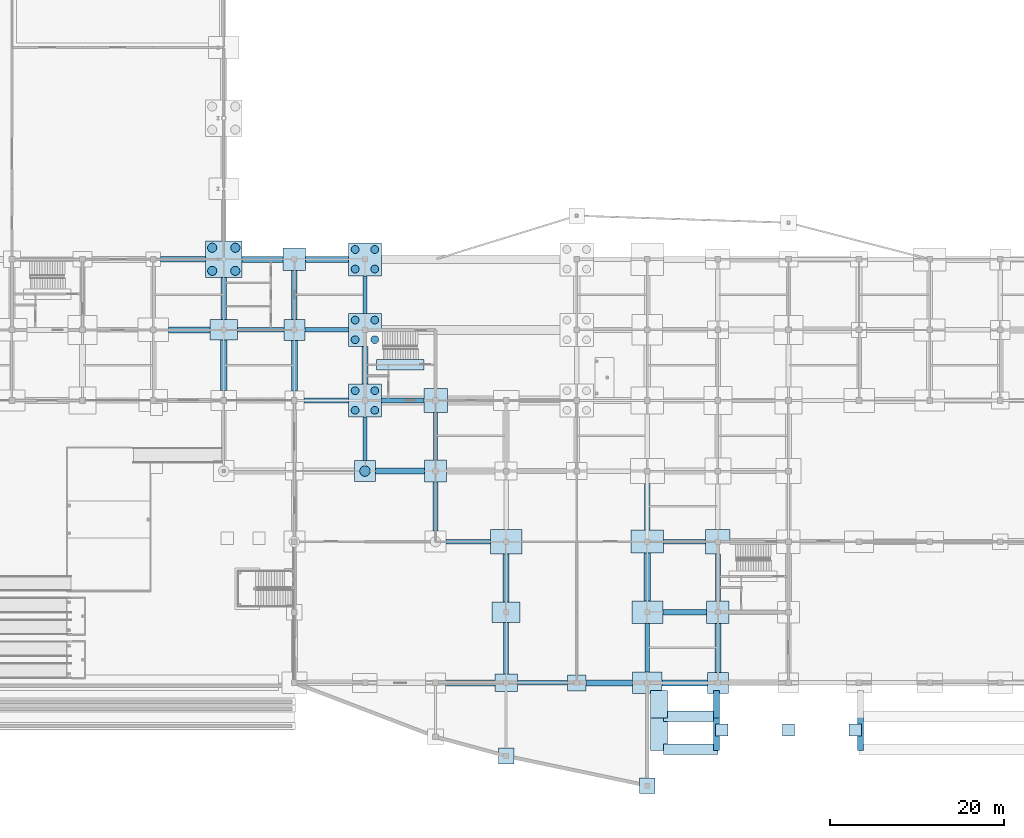
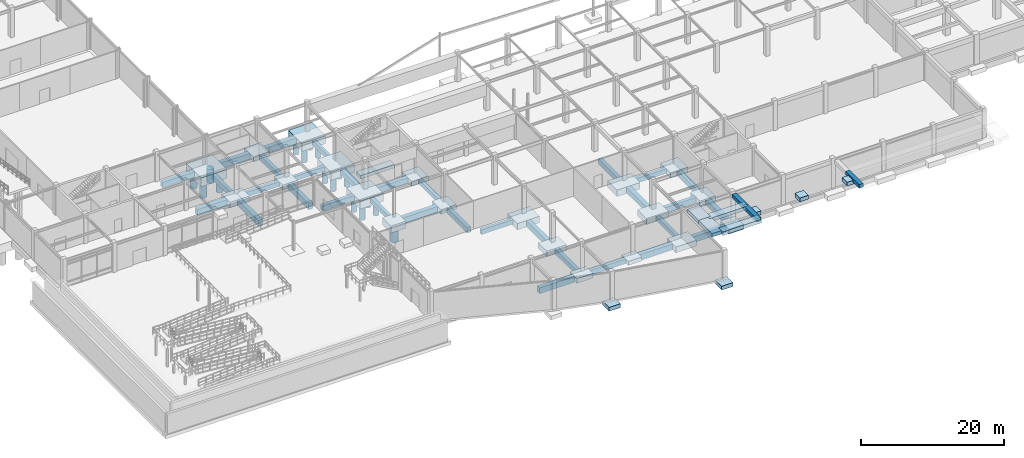
# One storey, part 2 of 67: 65 footings, 17 piles.
"""IFC4 building model written with IfcOpenShell, lengths in metres."""

from ifc_helpers import new_model, si_unit, direction, frame, origin, origin_2d, place, context, subcontext, project, spatial, rectangle, circle, extrude, material, material_profile, profile_set, type_object, element, save


model = new_model("IFC4")

# Units and contexts
model_context = context("Model", 3, precision=1e-05, world=origin(), true_north=direction((0.0, 1.0)))
body_context = subcontext(model_context, "Body", "Model", "MODEL_VIEW")
ifc_project = project(units=[si_unit("LENGTHUNIT", "METRE"), si_unit("AREAUNIT", "SQUARE_METRE"), si_unit("VOLUMEUNIT", "CUBIC_METRE"), si_unit("PLANEANGLEUNIT", "RADIAN"), si_unit("MASSUNIT", "GRAM", prefix="KILO")], contexts=[model_context])

# Site, building, storey
site_placement = place(None, origin())
site = spatial("IfcSite", under=ifc_project, at=site_placement, CompositionType="ELEMENT")
building_placement = place(site_placement, origin())
building = spatial("IfcBuilding", under=site, at=building_placement, Name="Vaudrelin Polytechnic", CompositionType="ELEMENT")
storey_placement = place(building_placement, frame((0.0, 0.0, -5.10009765625)))
storey = spatial("IfcBuildingStorey", under=building, at=storey_placement, Name="B1", CompositionType="ELEMENT", Elevation=-5.10009765625)

# Footings
ifc_material = material(Name="Concrete 40 MPa", Category="concrete")
footing_type_1 = type_object("IfcFootingType", Name="FTG-GB-01", PredefinedType="FOOTING_BEAM", material=ifc_material)
footing_1_placement = place(storey_placement, frame((36.637451171875, 40.5, -1.25), z_axis=(0.0, 0.0, 1.0), x_axis=(1.0, 0.0, 0.0)))
element("IfcFooting", 1, at=footing_1_placement, inside=storey, type_object=footing_type_1, Name="Ground tie beam GB-0066", PredefinedType="FOOTING_BEAM", context=body_context, shape_type="SweptSolid", body=[
    extrude(rectangle(XDim=5.324951171875, YDim=0.5, at=origin_2d()), origin(), (0.0, 0.0, 1.0), 0.800048828125),
])
footing_2_placement = place(storey_placement, frame((44.199951171875, 40.5, -1.25), z_axis=(0.0, 0.0, 1.0), x_axis=(1.0, 0.0, 0.0)))
element("IfcFooting", 2, at=footing_2_placement, inside=storey, type_object=footing_type_1, Name="Ground tie beam GB-0090", PredefinedType="FOOTING_BEAM", context=body_context, shape_type="SweptSolid", body=[
    extrude(rectangle(XDim=5.0, YDim=0.5, at=origin_2d()), origin(), (0.0, 0.0, 1.0), 0.800048828125),
])
footing_3_placement = place(storey_placement, frame((48.60009765625, 28.0, -1.25), z_axis=(0.0, 0.0, 1.0), x_axis=(1.0, 0.0, 0.0)))
element("IfcFooting", 3, at=footing_3_placement, inside=storey, type_object=footing_type_1, Name="Ground tie beam GB-0102", PredefinedType="FOOTING_BEAM", context=body_context, shape_type="SweptSolid", body=[
    extrude(rectangle(XDim=0.5, YDim=5.0, at=origin_2d()), origin(), (0.0, 0.0, 1.0), 0.800048828125),
])
footing_4_placement = place(storey_placement, frame((48.60009765625, 44.550048828125, -1.25), z_axis=(0.0, 0.0, 1.0), x_axis=(1.0, 0.0, 0.0)))
element("IfcFooting", 4, at=footing_4_placement, inside=storey, type_object=footing_type_1, Name="Ground tie beam GB-0105", PredefinedType="FOOTING_BEAM", context=body_context, shape_type="SweptSolid", body=[
    extrude(rectangle(XDim=0.5, YDim=4.300048828125, at=origin_2d()), origin(), (0.0, 0.0, 1.0), 0.800048828125),
])
footing_5_placement = place(storey_placement, frame((60.449951171875, 16.199951171875, -1.25), z_axis=(0.0, 0.0, 1.0), x_axis=(1.0, 0.0, 0.0)))
element("IfcFooting", 5, at=footing_5_placement, inside=storey, type_object=footing_type_1, Name="Ground tie beam GB-0114", PredefinedType="FOOTING_BEAM", context=body_context, shape_type="SweptSolid", body=[
    extrude(rectangle(XDim=5.10009765625, YDim=0.5, at=origin_2d()), origin(), (0.0, 0.0, 1.0), 0.800048828125),
])
footing_6_placement = place(storey_placement, frame((56.699951171875, 28.300048828125, -1.25), z_axis=(0.0, 0.0, 1.0), x_axis=(1.0, 0.0, 0.0)))
element("IfcFooting", 6, at=footing_6_placement, inside=storey, type_object=footing_type_1, Name="Ground tie beam GB-0117", PredefinedType="FOOTING_BEAM", context=body_context, shape_type="SweptSolid", body=[
    extrude(rectangle(XDim=0.5, YDim=5.5, at=origin_2d()), origin(), (0.0, 0.0, 1.0), 0.800048828125),
])
footing_7_placement = place(storey_placement, frame((68.96240234375, 0.0, -1.25), z_axis=(0.0, 0.0, 1.0), x_axis=(1.0, 0.0, 0.0)))
element("IfcFooting", 7, at=footing_7_placement, inside=storey, type_object=footing_type_1, Name="Ground tie beam GB-0126", PredefinedType="FOOTING_BEAM", context=body_context, shape_type="SweptSolid", body=[
    extrude(rectangle(XDim=5.72509765625, YDim=0.5, at=origin_2d()), origin(), (0.0, 0.0, 1.0), 0.800048828125),
])
footing_8_placement = place(storey_placement, frame((81.0, 4.02490234375, -1.25), z_axis=(0.0, 0.0, 1.0), x_axis=(1.0, 0.0, 0.0)))
element("IfcFooting", 8, at=footing_8_placement, inside=storey, type_object=footing_type_1, Name="Ground tie beam GB-0156", PredefinedType="FOOTING_BEAM", context=body_context, shape_type="SweptSolid", body=[
    extrude(rectangle(XDim=0.5, YDim=5.60009765625, at=origin_2d()), origin(), (0.0, 0.0, 1.0), 0.800048828125),
])
footing_9_placement = place(storey_placement, frame((85.28759765625, 16.199951171875, -1.25), z_axis=(0.0, 0.0, 1.0), x_axis=(1.0, 0.0, 0.0)))
element("IfcFooting", 9, at=footing_9_placement, inside=storey, type_object=footing_type_1, Name="Ground tie beam GB-0159", PredefinedType="FOOTING_BEAM", context=body_context, shape_type="SweptSolid", body=[
    extrude(rectangle(XDim=4.824951171875, YDim=0.5, at=origin_2d()), origin(), (0.0, 0.0, 1.0), 0.800048828125),
])
footing_type_2 = type_object("IfcFootingType", Name="FTG-GB-02", PredefinedType="FOOTING_BEAM", material=ifc_material)
footing_10_placement = place(storey_placement, frame((27.72509765625, 48.60009765625, -1.39990234375), z_axis=(0.0, 0.0, 1.0), x_axis=(1.0, 0.0, 0.0)))
element("IfcFooting", 10, at=footing_10_placement, inside=storey, type_object=footing_type_2, Name="Ground tie beam GB-0052", PredefinedType="FOOTING_BEAM", context=body_context, shape_type="SweptSolid", body=[
    extrude(rectangle(XDim=5.14990234375, YDim=0.60009765625, at=origin_2d()), origin(), (0.0, 0.0, 1.0), 0.89990234375),
])
footing_11_placement = place(storey_placement, frame((32.39990234375, 44.08740234375, -1.349853515625), z_axis=(0.0, 0.0, 1.0), x_axis=(1.0, 0.0, 0.0)))
element("IfcFooting", 11, at=footing_11_placement, inside=storey, type_object=footing_type_2, Name="Ground tie beam GB-0067", PredefinedType="FOOTING_BEAM", context=body_context, shape_type="SweptSolid", body=[
    extrude(rectangle(XDim=0.60009765625, YDim=4.824951171875, at=origin_2d()), origin(), (0.0, 0.0, 1.0), 0.89990234375),
])
footing_12_placement = place(storey_placement, frame((44.14990234375, 32.39990234375, -1.349853515625), z_axis=(0.0, 0.0, 1.0), x_axis=(1.0, 0.0, 0.0)))
element("IfcFooting", 12, at=footing_12_placement, inside=storey, type_object=footing_type_2, Name="Ground tie beam GB-0088", PredefinedType="FOOTING_BEAM", context=body_context, shape_type="SweptSolid", body=[
    extrude(rectangle(XDim=5.10009765625, YDim=0.60009765625, at=origin_2d()), origin(), (0.0, 0.0, 1.0), 0.89990234375),
])
footing_13_placement = place(storey_placement, frame((40.5, 44.5, -1.349853515625), z_axis=(0.0, 0.0, 1.0), x_axis=(1.0, 0.0, 0.0)))
element("IfcFooting", 13, at=footing_13_placement, inside=storey, type_object=footing_type_2, Name="Ground tie beam GB-0091", PredefinedType="FOOTING_BEAM", context=body_context, shape_type="SweptSolid", body=[
    extrude(rectangle(XDim=0.60009765625, YDim=5.60009765625, at=origin_2d()), origin(), (0.0, 0.0, 1.0), 0.89990234375),
])
footing_14_placement = place(storey_placement, frame((52.925048828125, 32.39990234375, -1.349853515625), z_axis=(0.0, 0.0, 1.0), x_axis=(1.0, 0.0, 0.0)))
element("IfcFooting", 14, at=footing_14_placement, inside=storey, type_object=footing_type_2, Name="Ground tie beam GB-0103", PredefinedType="FOOTING_BEAM", context=body_context, shape_type="SweptSolid", body=[
    extrude(rectangle(XDim=4.85009765625, YDim=0.60009765625, at=origin_2d()), origin(), (0.0, 0.0, 1.0), 0.89990234375),
])
footing_15_placement = place(storey_placement, frame((56.699951171875, 20.22509765625, -1.349853515625), z_axis=(0.0, 0.0, 1.0), x_axis=(1.0, 0.0, 0.0)))
element("IfcFooting", 15, at=footing_15_placement, inside=storey, type_object=footing_type_2, Name="Ground tie beam GB-0115", PredefinedType="FOOTING_BEAM", context=body_context, shape_type="SweptSolid", body=[
    extrude(rectangle(XDim=0.60009765625, YDim=5.64990234375, at=origin_2d()), origin(), (0.0, 0.0, 1.0), 0.89990234375),
])
footing_16_placement = place(storey_placement, frame((64.800048828125, 3.949951171875, -1.349853515625), z_axis=(0.0, 0.0, 1.0), x_axis=(1.0, 0.0, 0.0)))
element("IfcFooting", 16, at=footing_16_placement, inside=storey, type_object=footing_type_2, Name="Ground tie beam GB-0127", PredefinedType="FOOTING_BEAM", context=body_context, shape_type="SweptSolid", body=[
    extrude(rectangle(XDim=0.60009765625, YDim=5.89990234375, at=origin_2d()), origin(), (0.0, 0.0, 1.0), 0.89990234375),
])
footing_17_placement = place(storey_placement, frame((85.28759765625, 8.10009765625, -1.349853515625), z_axis=(0.0, 0.0, 1.0), x_axis=(1.0, 0.0, 0.0)))
element("IfcFooting", 17, at=footing_17_placement, inside=storey, type_object=footing_type_2, Name="Ground tie beam GB-0157", PredefinedType="FOOTING_BEAM", context=body_context, shape_type="SweptSolid", body=[
    extrude(rectangle(XDim=5.02490234375, YDim=0.60009765625, at=origin_2d()), origin(), (0.0, 0.0, 1.0), 0.89990234375),
])
footing_18_placement = place(storey_placement, frame((81.0, 20.1875, -1.349853515625), z_axis=(0.0, 0.0, 1.0), x_axis=(1.0, 0.0, 0.0)))
element("IfcFooting", 18, at=footing_18_placement, inside=storey, type_object=footing_type_2, Name="Ground tie beam GB-0160", PredefinedType="FOOTING_BEAM", context=body_context, shape_type="SweptSolid", body=[
    extrude(rectangle(XDim=0.60009765625, YDim=5.324951171875, at=origin_2d()), origin(), (0.0, 0.0, 1.0), 0.89990234375),
])
footing_19_placement = place(storey_placement, frame((89.10009765625, 12.10009765625, -1.349853515625), z_axis=(0.0, 0.0, 1.0), x_axis=(1.0, 0.0, 0.0)))
element("IfcFooting", 19, at=footing_19_placement, inside=storey, type_object=footing_type_2, Name="Ground tie beam GB-0178", PredefinedType="FOOTING_BEAM", context=body_context, shape_type="SweptSolid", body=[
    extrude(rectangle(XDim=0.60009765625, YDim=5.39990234375, at=origin_2d()), origin(), (0.0, 0.0, 1.0), 0.89990234375),
])
footing_type_3 = type_object("IfcFootingType", Name="FTG-GB-03", PredefinedType="FOOTING_BEAM", material=ifc_material)
footing_20_placement = place(storey_placement, frame((28.4375, 40.5, -1.5), z_axis=(0.0, 0.0, 1.0), x_axis=(1.0, 0.0, 0.0)))
element("IfcFooting", 20, at=footing_20_placement, inside=storey, type_object=footing_type_3, Name="Ground tie beam GB-0050", PredefinedType="FOOTING_BEAM", context=body_context, shape_type="SweptSolid", body=[
    extrude(rectangle(XDim=4.77490234375, YDim=0.699951171875, at=origin_2d()), origin(), (0.0, 0.0, 1.0), 1.0),
])
footing_21_placement = place(storey_placement, frame((32.39990234375, 36.425048828125, -1.449951171875), z_axis=(0.0, 0.0, 1.0), x_axis=(1.0, 0.0, 0.0)))
element("IfcFooting", 21, at=footing_21_placement, inside=storey, type_object=footing_type_3, Name="Ground tie beam GB-0065", PredefinedType="FOOTING_BEAM", context=body_context, shape_type="SweptSolid", body=[
    extrude(rectangle(XDim=0.699951171875, YDim=5.800048828125, at=origin_2d()), origin(), (0.0, 0.0, 1.0), 1.0),
])
footing_22_placement = place(storey_placement, frame((36.85009765625, 48.60009765625, -1.449951171875), z_axis=(0.0, 0.0, 1.0), x_axis=(1.0, 0.0, 0.0)))
element("IfcFooting", 22, at=footing_22_placement, inside=storey, type_object=footing_type_3, Name="Ground tie beam GB-0068", PredefinedType="FOOTING_BEAM", context=body_context, shape_type="SweptSolid", body=[
    extrude(rectangle(XDim=4.699951171875, YDim=0.699951171875, at=origin_2d()), origin(), (0.0, 0.0, 1.0), 1.0),
])
footing_23_placement = place(storey_placement, frame((40.5, 36.39990234375, -1.449951171875), z_axis=(0.0, 0.0, 1.0), x_axis=(1.0, 0.0, 0.0)))
element("IfcFooting", 23, at=footing_23_placement, inside=storey, type_object=footing_type_3, Name="Ground tie beam GB-0089", PredefinedType="FOOTING_BEAM", context=body_context, shape_type="SweptSolid", body=[
    extrude(rectangle(XDim=0.699951171875, YDim=5.800048828125, at=origin_2d()), origin(), (0.0, 0.0, 1.0), 1.0),
])
footing_24_placement = place(storey_placement, frame((44.25, 48.60009765625, -1.449951171875), z_axis=(0.0, 0.0, 1.0), x_axis=(1.0, 0.0, 0.0)))
element("IfcFooting", 24, at=footing_24_placement, inside=storey, type_object=footing_type_3, Name="Ground tie beam GB-0092", PredefinedType="FOOTING_BEAM", context=body_context, shape_type="SweptSolid", body=[
    extrude(rectangle(XDim=4.89990234375, YDim=0.699951171875, at=origin_2d()), origin(), (0.0, 0.0, 1.0), 1.0),
])
footing_25_placement = place(storey_placement, frame((52.625, 24.300048828125, -1.449951171875), z_axis=(0.0, 0.0, 1.0), x_axis=(1.0, 0.0, 0.0)))
element("IfcFooting", 25, at=footing_25_placement, inside=storey, type_object=footing_type_3, Name="Ground tie beam GB-0101", PredefinedType="FOOTING_BEAM", context=body_context, shape_type="SweptSolid", body=[
    extrude(rectangle(XDim=5.64990234375, YDim=0.699951171875, at=origin_2d()), origin(), (0.0, 0.0, 1.0), 1.0),
])
footing_26_placement = place(storey_placement, frame((48.60009765625, 36.449951171875, -1.449951171875), z_axis=(0.0, 0.0, 1.0), x_axis=(1.0, 0.0, 0.0)))
element("IfcFooting", 26, at=footing_26_placement, inside=storey, type_object=footing_type_3, Name="Ground tie beam GB-0104", PredefinedType="FOOTING_BEAM", context=body_context, shape_type="SweptSolid", body=[
    extrude(rectangle(XDim=0.699951171875, YDim=4.300048828125, at=origin_2d()), origin(), (0.0, 0.0, 1.0), 1.0),
])
footing_27_placement = place(storey_placement, frame((60.675048828125, 0.0, -1.449951171875), z_axis=(0.0, 0.0, 1.0), x_axis=(1.0, 0.0, 0.0)))
element("IfcFooting", 27, at=footing_27_placement, inside=storey, type_object=footing_type_3, Name="Ground tie beam GB-0113", PredefinedType="FOOTING_BEAM", context=body_context, shape_type="SweptSolid", body=[
    extrude(rectangle(XDim=5.64990234375, YDim=0.699951171875, at=origin_2d()), origin(), (0.0, 0.0, 1.0), 1.0),
])
footing_28_placement = place(storey_placement, frame((64.800048828125, 12.050048828125, -1.449951171875), z_axis=(0.0, 0.0, 1.0), x_axis=(1.0, 0.0, 0.0)))
element("IfcFooting", 28, at=footing_28_placement, inside=storey, type_object=footing_type_3, Name="Ground tie beam GB-0128", PredefinedType="FOOTING_BEAM", context=body_context, shape_type="SweptSolid", body=[
    extrude(rectangle(XDim=0.699951171875, YDim=5.5, at=origin_2d()), origin(), (0.0, 0.0, 1.0), 1.0),
])
footing_29_placement = place(storey_placement, frame((76.64990234375, 0.0, -1.449951171875), z_axis=(0.0, 0.0, 1.0), x_axis=(1.0, 0.0, 0.0)))
element("IfcFooting", 29, at=footing_29_placement, inside=storey, type_object=footing_type_3, Name="Ground tie beam GB-0140", PredefinedType="FOOTING_BEAM", context=body_context, shape_type="SweptSolid", body=[
    extrude(rectangle(XDim=5.35009765625, YDim=0.699951171875, at=origin_2d()), origin(), (0.0, 0.0, 1.0), 1.0),
])
footing_30_placement = place(storey_placement, frame((85.28759765625, 0.0, -1.449951171875), z_axis=(0.0, 0.0, 1.0), x_axis=(1.0, 0.0, 0.0)))
element("IfcFooting", 30, at=footing_30_placement, inside=storey, type_object=footing_type_3, Name="Ground tie beam GB-0155", PredefinedType="FOOTING_BEAM", context=body_context, shape_type="SweptSolid", body=[
    extrude(rectangle(XDim=5.22509765625, YDim=0.699951171875, at=origin_2d()), origin(), (0.0, 0.0, 1.0), 1.0),
])
footing_31_placement = place(storey_placement, frame((81.0, 12.125, -1.449951171875), z_axis=(0.0, 0.0, 1.0), x_axis=(1.0, 0.0, 0.0)))
element("IfcFooting", 31, at=footing_31_placement, inside=storey, type_object=footing_type_3, Name="Ground tie beam GB-0158", PredefinedType="FOOTING_BEAM", context=body_context, shape_type="SweptSolid", body=[
    extrude(rectangle(XDim=0.699951171875, YDim=5.5, at=origin_2d()), origin(), (0.0, 0.0, 1.0), 1.0),
])
footing_32_placement = place(storey_placement, frame((89.10009765625, 4.0, -1.449951171875), z_axis=(0.0, 0.0, 1.0), x_axis=(1.0, 0.0, 0.0)))
element("IfcFooting", 32, at=footing_32_placement, inside=storey, type_object=footing_type_3, Name="Ground tie beam GB-0176", PredefinedType="FOOTING_BEAM", context=body_context, shape_type="SweptSolid", body=[
    extrude(rectangle(XDim=0.699951171875, YDim=5.60009765625, at=origin_2d()), origin(), (0.0, 0.0, 1.0), 1.0),
])
footing_type_4 = type_object("IfcFootingType", Name="FTG-PC-01", PredefinedType="PILE_CAP", material=ifc_material)
footing_33_placement = place(storey_placement, frame((48.60009765625, 24.300048828125, -1.64990234375), z_axis=(0.0, 0.0, 1.0), x_axis=(1.0, 0.0, 0.0)))
element("IfcFooting", 33, at=footing_33_placement, inside=storey, type_object=footing_type_4, Name="Single-caisson cap CAP-14", PredefinedType="PILE_CAP", context=body_context, shape_type="SweptSolid", body=[
    extrude(rectangle(XDim=2.39990234375, YDim=2.39990234375, at=origin_2d()), origin(), (0.0, 0.0, 1.0), 1.199951171875),
])
footing_type_5 = type_object("IfcFootingType", Name="FTG-PC-02", PredefinedType="PILE_CAP", material=ifc_material)
for number, where, z_axis, x_axis, name in (
    (34, (48.60009765625, 32.39990234375, -1.800048828125), (0.0, 0.0, 1.0), (1.0, 0.0, 0.0), "Pile cap CAP-07"),
    (35, (48.60009765625, 40.5, -1.800048828125), (0.0, 0.0, 1.0), (1.0, 0.0, 0.0), "Pile cap CAP-08"),
    (36, (48.60009765625, 48.60009765625, -1.800048828125), (0.0, 0.0, 1.0), (1.0, 0.0, 0.0), "Pile cap CAP-09"),
):
    element("IfcFooting", number, at=place(storey_placement, frame(where, z_axis=z_axis, x_axis=x_axis)), inside=storey, type_object=footing_type_5, Name=name, PredefinedType="PILE_CAP", context=body_context, shape_type="SweptSolid", body=[
        extrude(rectangle(XDim=3.800048828125, YDim=3.800048828125, at=origin_2d()), origin(), (0.0, 0.0, 1.0), 1.35009765625),
    ])
footing_type_6 = type_object("IfcFootingType", Name="FTG-PC-03", PredefinedType="PILE_CAP", material=ifc_material)
footing_34_placement = place(storey_placement, frame((32.39990234375, 48.60009765625, -1.949951171875), z_axis=(0.0, 0.0, 1.0), x_axis=(1.0, 0.0, 0.0)))
element("IfcFooting", 37, at=footing_34_placement, inside=storey, type_object=footing_type_6, Name="Pile cap CAP-04", PredefinedType="PILE_CAP", context=body_context, shape_type="SweptSolid", body=[
    extrude(rectangle(XDim=4.199951171875, YDim=4.199951171875, at=origin_2d()), origin(), (0.0, 0.0, 1.0), 1.5),
])
footing_type_7 = type_object("IfcFootingType", Name="FTG-PF-01", PredefinedType="PAD_FOOTING", material=ifc_material)
for number, where, z_axis, x_axis, name in (
    (38, (64.800048828125, -8.39990234375, -1.099853515625), (0.0, 0.0, 1.0), (1.0, 0.0, 0.0), "Sculptural prow footing V2P_8"),
    (39, (81.0, -11.800048828125, -1.099853515625), (0.0, 0.0, 1.0), (1.0, 0.0, 0.0), "Sculptural prow footing V2P_10"),
):
    element("IfcFooting", number, at=place(storey_placement, frame(where, z_axis=z_axis, x_axis=x_axis)), inside=storey, type_object=footing_type_7, Name=name, PredefinedType="PAD_FOOTING", context=body_context, shape_type="SweptSolid", body=[
        extrude(rectangle(XDim=1.800048828125, YDim=1.800048828125, at=origin_2d()), origin(), (0.0, 0.0, 1.0), 0.64990234375),
    ])
footing_type_8 = type_object("IfcFootingType", Name="FTG-PF-04", PredefinedType="PAD_FOOTING", material=ifc_material)
for number, where, z_axis, x_axis, name in (
    (40, (40.5, 40.5, -1.25), (0.0, 0.0, 1.0), (1.0, 0.0, 0.0), "Spread footing 5-5"),
    (41, (89.10009765625, 0.0, -1.25), (0.0, 0.0, 1.0), (1.0, 0.0, 0.0), "Spread footing 11-0"),
):
    element("IfcFooting", number, at=place(storey_placement, frame(where, z_axis=z_axis, x_axis=x_axis)), inside=storey, type_object=footing_type_8, Name=name, PredefinedType="PAD_FOOTING", context=body_context, shape_type="SweptSolid", body=[
        extrude(rectangle(XDim=2.39990234375, YDim=2.39990234375, at=origin_2d()), origin(), (0.0, 0.0, 1.0), 0.800048828125),
    ])
footing_type_9 = type_object("IfcFootingType", Name="FTG-PF-05", PredefinedType="PAD_FOOTING", material=ifc_material)
for number, where, z_axis, x_axis, name in (
    (42, (40.5, 48.60009765625, -1.300048828125), (0.0, 0.0, 1.0), (1.0, 0.0, 0.0), "Spread footing 5-6"),
    (43, (89.10009765625, 8.10009765625, -1.300048828125), (0.0, 0.0, 1.0), (1.0, 0.0, 0.0), "Spread footing 11-1"),
):
    element("IfcFooting", number, at=place(storey_placement, frame(where, z_axis=z_axis, x_axis=x_axis)), inside=storey, type_object=footing_type_9, Name=name, PredefinedType="PAD_FOOTING", context=body_context, shape_type="SweptSolid", body=[
        extrude(rectangle(XDim=2.60009765625, YDim=2.60009765625, at=origin_2d()), origin(), (0.0, 0.0, 1.0), 0.85009765625),
    ])
footing_type_10 = type_object("IfcFootingType", Name="FTG-PF-06", PredefinedType="PAD_FOOTING", material=ifc_material)
footing_35_placement = place(storey_placement, frame((89.10009765625, 16.199951171875, -1.349853515625), z_axis=(0.0, 0.0, 1.0), x_axis=(1.0, 0.0, 0.0)))
element("IfcFooting", 44, at=footing_35_placement, inside=storey, type_object=footing_type_10, Name="Spread footing 11-2", PredefinedType="PAD_FOOTING", context=body_context, shape_type="SweptSolid", body=[
    extrude(rectangle(XDim=2.800048828125, YDim=2.800048828125, at=origin_2d()), origin(), (0.0, 0.0, 1.0), 0.89990234375),
])
footing_type_11 = type_object("IfcFootingType", Name="FTG-PF-16", PredefinedType="PAD_FOOTING", material=ifc_material)
footing_36_placement = place(storey_placement, frame((56.699951171875, 24.300048828125, -1.25), z_axis=(0.0, 0.0, 1.0), x_axis=(1.0, 0.0, 0.0)))
element("IfcFooting", 45, at=footing_36_placement, inside=storey, type_object=footing_type_11, Name="Spread footing 7-3", PredefinedType="PAD_FOOTING", context=body_context, shape_type="SweptSolid", body=[
    extrude(rectangle(XDim=2.5, YDim=2.5, at=origin_2d()), origin(), (0.0, 0.0, 1.0), 0.800048828125),
])
footing_type_12 = type_object("IfcFootingType", Name="FTG-PF-17", PredefinedType="PAD_FOOTING", material=ifc_material)
footing_37_placement = place(storey_placement, frame((56.699951171875, 32.39990234375, -1.300048828125), z_axis=(0.0, 0.0, 1.0), x_axis=(1.0, 0.0, 0.0)))
element("IfcFooting", 46, at=footing_37_placement, inside=storey, type_object=footing_type_12, Name="Spread footing 7-4", PredefinedType="PAD_FOOTING", context=body_context, shape_type="SweptSolid", body=[
    extrude(rectangle(XDim=2.699951171875, YDim=2.699951171875, at=origin_2d()), origin(), (0.0, 0.0, 1.0), 0.85009765625),
])
footing_type_13 = type_object("IfcFootingType", Name="FTG-PF-22", PredefinedType="PAD_FOOTING", material=ifc_material)
footing_38_placement = place(storey_placement, frame((64.800048828125, 0.0, -1.25), z_axis=(0.0, 0.0, 1.0), x_axis=(1.0, 0.0, 0.0)))
element("IfcFooting", 47, at=footing_38_placement, inside=storey, type_object=footing_type_13, Name="Spread footing 8-0", PredefinedType="PAD_FOOTING", context=body_context, shape_type="SweptSolid", body=[
    extrude(rectangle(XDim=2.60009765625, YDim=2.0, at=origin_2d()), origin(), (0.0, 0.0, 1.0), 0.800048828125),
])
footing_type_14 = type_object("IfcFootingType", Name="FTG-PF-23", PredefinedType="PAD_FOOTING", material=ifc_material)
footing_39_placement = place(storey_placement, frame((64.800048828125, 8.10009765625, -1.39990234375), z_axis=(0.0, 0.0, 1.0), x_axis=(1.0, 0.0, 0.0)))
element("IfcFooting", 48, at=footing_39_placement, inside=storey, type_object=footing_type_14, Name="Spread footing 8-1", PredefinedType="PAD_FOOTING", context=body_context, shape_type="SweptSolid", body=[
    extrude(rectangle(XDim=3.199951171875, YDim=2.39990234375, at=origin_2d()), origin(), (0.0, 0.0, 1.0), 0.949951171875),
])
footing_type_15 = type_object("IfcFootingType", Name="FTG-PF-24", PredefinedType="PAD_FOOTING", material=ifc_material)
footing_40_placement = place(storey_placement, frame((64.800048828125, 16.199951171875, -1.550048828125), z_axis=(0.0, 0.0, 1.0), x_axis=(1.0, 0.0, 0.0)))
element("IfcFooting", 49, at=footing_40_placement, inside=storey, type_object=footing_type_15, Name="Spread footing 8-2", PredefinedType="PAD_FOOTING", context=body_context, shape_type="SweptSolid", body=[
    extrude(rectangle(XDim=3.60009765625, YDim=2.800048828125, at=origin_2d()), origin(), (0.0, 0.0, 1.0), 1.10009765625),
])
footing_type_16 = type_object("IfcFootingType", Name="FTG-PF-31", PredefinedType="PAD_FOOTING", material=ifc_material)
footing_41_placement = place(storey_placement, frame((72.89990234375, 0.0, -1.14990234375), z_axis=(0.0, 0.0, 1.0), x_axis=(1.0, 0.0, 0.0)))
element("IfcFooting", 50, at=footing_41_placement, inside=storey, type_object=footing_type_16, Name="Spread footing 9-0", PredefinedType="PAD_FOOTING", context=body_context, shape_type="SweptSolid", body=[
    extrude(rectangle(XDim=2.14990234375, YDim=1.85009765625, at=origin_2d()), origin(), (0.0, 0.0, 1.0), 0.699951171875),
])
footing_type_17 = type_object("IfcFootingType", Name="FTG-PF-36", PredefinedType="PAD_FOOTING", material=ifc_material)
footing_42_placement = place(storey_placement, frame((32.39990234375, 40.5, -1.39990234375), z_axis=(0.0, 0.0, 1.0), x_axis=(1.0, 0.0, 0.0)))
element("IfcFooting", 51, at=footing_42_placement, inside=storey, type_object=footing_type_17, Name="Spread footing 4-5", PredefinedType="PAD_FOOTING", context=body_context, shape_type="SweptSolid", body=[
    extrude(rectangle(XDim=3.14990234375, YDim=2.35009765625, at=origin_2d()), origin(), (0.0, 0.0, 1.0), 0.949951171875),
])
footing_type_18 = type_object("IfcFootingType", Name="FTG-PF-37", PredefinedType="PAD_FOOTING", material=ifc_material)
footing_43_placement = place(storey_placement, frame((81.0, 0.0, -1.449951171875), z_axis=(0.0, 0.0, 1.0), x_axis=(1.0, 0.0, 0.0)))
element("IfcFooting", 52, at=footing_43_placement, inside=storey, type_object=footing_type_18, Name="Spread footing 10-0", PredefinedType="PAD_FOOTING", context=body_context, shape_type="SweptSolid", body=[
    extrude(rectangle(XDim=3.35009765625, YDim=2.449951171875, at=origin_2d()), origin(), (0.0, 0.0, 1.0), 1.0),
])
footing_type_19 = type_object("IfcFootingType", Name="FTG-PF-38", PredefinedType="PAD_FOOTING", material=ifc_material)
footing_44_placement = place(storey_placement, frame((81.0, 8.10009765625, -1.5), z_axis=(0.0, 0.0, 1.0), x_axis=(1.0, 0.0, 0.0)))
element("IfcFooting", 53, at=footing_44_placement, inside=storey, type_object=footing_type_19, Name="Spread footing 10-1", PredefinedType="PAD_FOOTING", context=body_context, shape_type="SweptSolid", body=[
    extrude(rectangle(XDim=3.550048828125, YDim=2.550048828125, at=origin_2d()), origin(), (0.0, 0.0, 1.0), 1.050048828125),
])
footing_type_20 = type_object("IfcFootingType", Name="FTG-PF-39", PredefinedType="PAD_FOOTING", material=ifc_material)
footing_45_placement = place(storey_placement, frame((81.0, 16.199951171875, -1.550048828125), z_axis=(0.0, 0.0, 1.0), x_axis=(1.0, 0.0, 0.0)))
element("IfcFooting", 54, at=footing_45_placement, inside=storey, type_object=footing_type_20, Name="Spread footing 10-2", PredefinedType="PAD_FOOTING", context=body_context, shape_type="SweptSolid", body=[
    extrude(rectangle(XDim=3.75, YDim=2.64990234375, at=origin_2d()), origin(), (0.0, 0.0, 1.0), 1.10009765625),
])
footing_type_21 = type_object("IfcFootingType", Name="FTG-PF-53", PredefinedType="PAD_FOOTING", material=ifc_material)
for number, where, z_axis, x_axis, name in (
    (55, (89.550048828125, -5.39990234375, 4.195068359375), (0.0, 0.0, 1.0), (1.0, 0.0, 0.0), "Plaza apron frost pier APR-05"),
    (56, (97.199951171875, -5.39990234375, 4.195068359375), (0.0, 0.0, 1.0), (1.0, 0.0, 0.0), "Plaza apron frost pier APR-06"),
    (57, (104.85009765625, -5.39990234375, 4.195068359375), (0.0, 0.0, 1.0), (1.0, 0.0, 0.0), "Plaza apron frost pier APR-07"),
):
    element("IfcFooting", number, at=place(storey_placement, frame(where, z_axis=z_axis, x_axis=x_axis)), inside=storey, type_object=footing_type_21, Name=name, PredefinedType="PAD_FOOTING", context=body_context, shape_type="SweptSolid", body=[
        extrude(rectangle(XDim=1.39990234375, YDim=1.39990234375, at=origin_2d()), origin(), (0.0, 0.0, 1.0), 0.64990234375),
    ])
footing_type_22 = type_object("IfcFootingType", Name="FTG-SF-01", PredefinedType="STRIP_FOOTING", material=ifc_material)
for number, where, z_axis, x_axis, name in (
    (58, (86.0, -7.60009765625, 4.5), (0.0, 0.0, 1.0), (1.0, 0.0, 0.0), "Green-hill retaining footing WEST-1.1"),
    (59, (86.0, -3.85009765625, 4.5), (0.0, 0.0, 1.0), (1.0, 0.0, 0.0), "Green-hill retaining footing WEST-2.1"),
):
    element("IfcFooting", number, at=place(storey_placement, frame(where, z_axis=z_axis, x_axis=x_axis)), inside=storey, type_object=footing_type_22, Name=name, PredefinedType="STRIP_FOOTING", context=body_context, shape_type="SweptSolid", body=[
        extrude(rectangle(XDim=6.239990234375, YDim=1.199951171875, at=origin_2d()), origin(), (0.0, 0.0, 1.0), 0.60009765625),
    ])
footing_46_placement = place(storey_placement, frame((52.64990234375, 36.510009765625, -1.099853515625), z_axis=(0.0, 0.0, 1.0), x_axis=(1.0, 0.0, 0.0)))
element("IfcFooting", 60, at=footing_46_placement, inside=storey, type_object=footing_type_22, Name="Core C4 stair wall strip footing", PredefinedType="STRIP_FOOTING", context=body_context, shape_type="SweptSolid", body=[
    extrude(rectangle(XDim=5.5, YDim=1.199951171875, at=origin_2d()), origin(), (0.0, 0.0, 1.0), 0.60009765625),
])
footing_type_23 = type_object("IfcFootingType", Name="FTG-SF-05", PredefinedType="STRIP_FOOTING", material=ifc_material)
footing_47_placement = place(storey_placement, frame((88.949951171875, -5.85009765625, 4.5), z_axis=(0.0, 0.0, 1.0), x_axis=(1.0, 0.0, 0.0)))
element("IfcFooting", 61, at=footing_47_placement, inside=storey, type_object=footing_type_23, Name="Green-hill retaining footing WEST-1.2", PredefinedType="STRIP_FOOTING", context=body_context, shape_type="SweptSolid", body=[
    extrude(rectangle(XDim=0.699951171875, YDim=3.840087890625, at=origin_2d()), origin(), (0.0, 0.0, 1.0), 0.60009765625),
])
footing_48_placement = place(storey_placement, frame((88.949951171875, -2.43505859375, 4.5), z_axis=(0.0, 0.0, 1.0), x_axis=(1.0, 0.0, 0.0)))
element("IfcFooting", 62, at=footing_48_placement, inside=storey, type_object=footing_type_23, Name="Green-hill retaining footing WEST-2.2", PredefinedType="STRIP_FOOTING", context=body_context, shape_type="SweptSolid", body=[
    extrude(rectangle(XDim=0.699951171875, YDim=3.169921875, at=origin_2d()), origin(), (0.0, 0.0, 1.0), 0.60009765625),
])
footing_49_placement = place(storey_placement, frame((105.449951171875, -5.85009765625, 4.5), z_axis=(0.0, 0.0, 1.0), x_axis=(1.0, 0.0, 0.0)))
element("IfcFooting", 63, at=footing_49_placement, inside=storey, type_object=footing_type_23, Name="Green-hill retaining footing EAST-1.3", PredefinedType="STRIP_FOOTING", context=body_context, shape_type="SweptSolid", body=[
    extrude(rectangle(XDim=0.699951171875, YDim=3.840087890625, at=origin_2d()), origin(), (0.0, 0.0, 1.0), 0.60009765625),
])
footing_type_24 = type_object("IfcFootingType", Name="FTG-SF-06", PredefinedType="STRIP_FOOTING", material=ifc_material)
footing_50_placement = place(storey_placement, frame((82.35009765625, -5.85009765625, 4.5), z_axis=(0.0, 0.0, 1.0), x_axis=(1.0, 0.0, 0.0)))
element("IfcFooting", 64, at=footing_50_placement, inside=storey, type_object=footing_type_24, Name="Green-hill retaining footing WEST-1.3", PredefinedType="STRIP_FOOTING", context=body_context, shape_type="SweptSolid", body=[
    extrude(rectangle(XDim=1.96630859375, YDim=3.86572265625, at=origin_2d()), origin(), (0.0, 0.0, 1.0), 0.60009765625),
])
footing_type_25 = type_object("IfcFootingType", Name="FTG-SF-07", PredefinedType="STRIP_FOOTING", material=ifc_material)
footing_51_placement = place(storey_placement, frame((82.35009765625, -2.44091796875, 4.5), z_axis=(0.0, 0.0, 1.0), x_axis=(1.0, 0.0, 0.0)))
element("IfcFooting", 65, at=footing_51_placement, inside=storey, type_object=footing_type_25, Name="Green-hill retaining footing WEST-2.3", PredefinedType="STRIP_FOOTING", context=body_context, shape_type="SweptSolid", body=[
    extrude(rectangle(XDim=1.970458984375, YDim=3.18212890625, at=origin_2d()), origin(), (0.0, 0.0, 1.0), 0.60009765625),
])

# Piles
ifc_material_profile_1 = material_profile(ifc_material, circle(Radius=0.449951171875, at=origin_2d()), Name="CAISSON900")
ifc_profile_set_1 = profile_set([ifc_material_profile_1], Name="Concrete 40 MPa")
pile_type_1 = type_object("IfcPileType", Name="PILE-CA-01", PredefinedType="BORED", material=ifc_profile_set_1)
for number, where, z_axis, x_axis, name in (
    (66, (47.47509765625, 31.27490234375, -1.7998046875), (0.0, 0.0, -1.0), (1.0, 0.0, 0.0), "Rock-socketed caisson P-025"),
    (67, (47.47509765625, 33.52490234375, -1.7998046875), (0.0, 0.0, -1.0), (1.0, 0.0, 0.0), "Rock-socketed caisson P-026"),
    (68, (49.72509765625, 31.27490234375, -1.7998046875), (0.0, 0.0, -1.0), (1.0, 0.0, 0.0), "Rock-socketed caisson P-027"),
    (69, (49.72509765625, 33.52490234375, -1.7998046875), (0.0, 0.0, -1.0), (1.0, 0.0, 0.0), "Rock-socketed caisson P-028"),
    (70, (47.47509765625, 39.375, -1.7998046875), (0.0, 0.0, -1.0), (1.0, 0.0, 0.0), "Rock-socketed caisson P-029"),
    (71, (47.47509765625, 41.625, -1.7998046875), (0.0, 0.0, -1.0), (1.0, 0.0, 0.0), "Rock-socketed caisson P-030"),
    (72, (49.72509765625, 39.375, -1.7998046875), (0.0, 0.0, -1.0), (1.0, 0.0, 0.0), "Rock-socketed caisson P-031"),
    (73, (49.72509765625, 41.625, -1.7998046875), (0.0, 0.0, -1.0), (1.0, 0.0, 0.0), "Rock-socketed caisson P-032"),
    (74, (47.47509765625, 47.47509765625, -1.7998046875), (0.0, 0.0, -1.0), (1.0, 0.0, 0.0), "Rock-socketed caisson P-033"),
    (75, (47.47509765625, 49.72509765625, -1.7998046875), (0.0, 0.0, -1.0), (1.0, 0.0, 0.0), "Rock-socketed caisson P-034"),
    (76, (49.72509765625, 47.47509765625, -1.7998046875), (0.0, 0.0, -1.0), (1.0, 0.0, 0.0), "Rock-socketed caisson P-035"),
    (77, (49.72509765625, 49.72509765625, -1.7998046875), (0.0, 0.0, -1.0), (1.0, 0.0, 0.0), "Rock-socketed caisson P-036"),
):
    element("IfcPile", number, at=place(storey_placement, frame(where, z_axis=z_axis, x_axis=x_axis)), inside=storey, type_object=pile_type_1, Name=name, PredefinedType="BORED", context=body_context, shape_type="SweptSolid", body=[
        extrude(circle(Radius=0.449951171875, at=origin_2d()), origin(), (0.0, 0.0, 1.0), 2.39990234375),
    ])
ifc_material_profile_2 = material_profile(ifc_material, circle(Radius=0.52490234375, at=origin_2d()), Name="CAISSON1050")
ifc_profile_set_2 = profile_set([ifc_material_profile_2], Name="Concrete 40 MPa")
pile_type_2 = type_object("IfcPileType", Name="PILE-CA-02", PredefinedType="BORED", material=ifc_profile_set_2)
for number, where, z_axis, x_axis, name in (
    (78, (31.074951171875, 47.27490234375, -1.949951171875), (0.0, 0.0, -1.0), (1.0, 0.0, 0.0), "Rock-socketed caisson P-013"),
    (79, (31.074951171875, 49.925048828125, -1.949951171875), (0.0, 0.0, -1.0), (1.0, 0.0, 0.0), "Rock-socketed caisson P-014"),
    (80, (33.72509765625, 47.27490234375, -1.949951171875), (0.0, 0.0, -1.0), (1.0, 0.0, 0.0), "Rock-socketed caisson P-015"),
    (81, (33.72509765625, 49.925048828125, -1.949951171875), (0.0, 0.0, -1.0), (1.0, 0.0, 0.0), "Rock-socketed caisson P-016"),
):
    element("IfcPile", number, at=place(storey_placement, frame(where, z_axis=z_axis, x_axis=x_axis)), inside=storey, type_object=pile_type_2, Name=name, PredefinedType="BORED", context=body_context, shape_type="SweptSolid", body=[
        extrude(circle(Radius=0.52490234375, at=origin_2d()), origin(), (0.0, 0.0, 1.0), 2.39990234375),
    ])
ifc_material_profile_3 = material_profile(ifc_material, circle(Radius=0.60009765625, at=origin_2d()), Name="CAISSON1200")
ifc_profile_set_3 = profile_set([ifc_material_profile_3], Name="Concrete 40 MPa")
pile_type_3 = type_object("IfcPileType", Name="PILE-CA-03", PredefinedType="BORED", material=ifc_profile_set_3)
pile_placement = place(storey_placement, frame((48.60009765625, 24.300048828125, -1.64990234375), z_axis=(0.0, 0.0, -1.0), x_axis=(1.0, 0.0, 0.0)))
element("IfcPile", 82, at=pile_placement, inside=storey, type_object=pile_type_3, Name="Rock-socketed caisson P-050", PredefinedType="BORED", context=body_context, shape_type="SweptSolid", body=[
    extrude(circle(Radius=0.60009765625, at=origin_2d()), origin(), (0.0, 0.0, 1.0), 2.39990234375),
])

save(model, "model.ifc")
